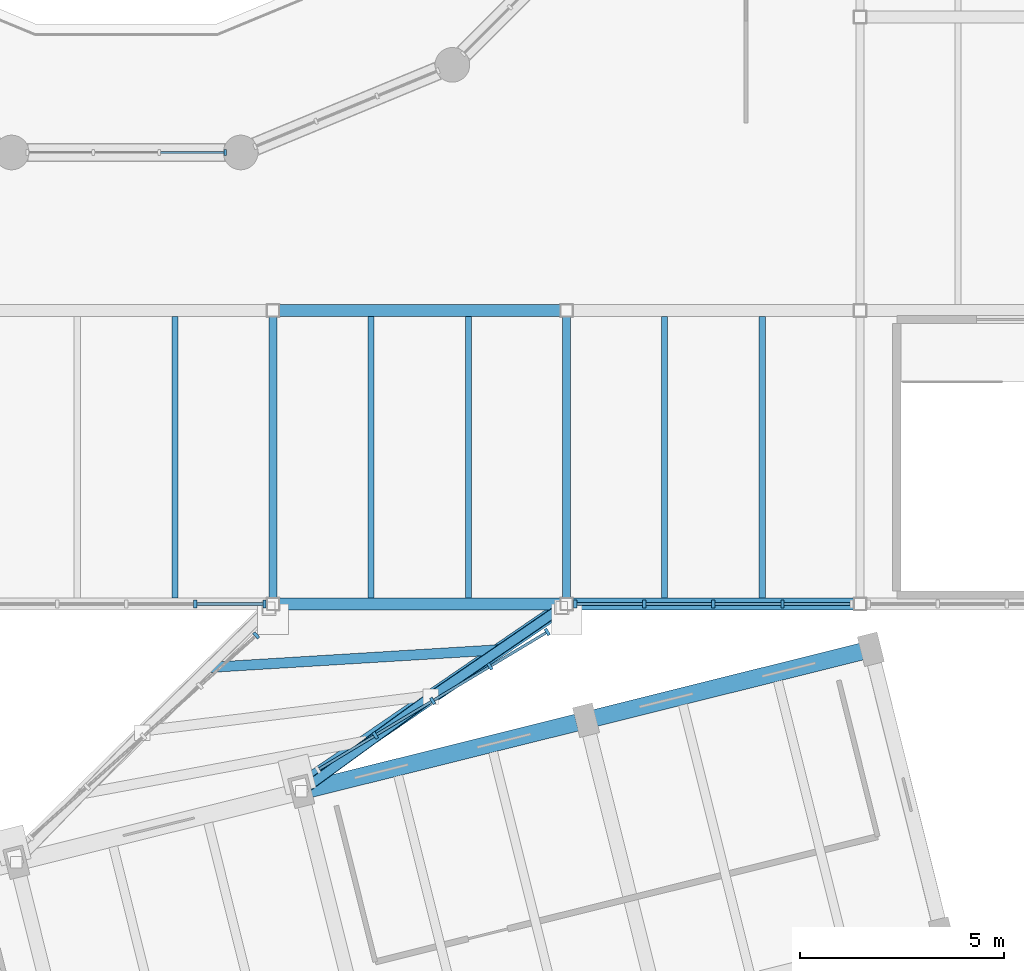
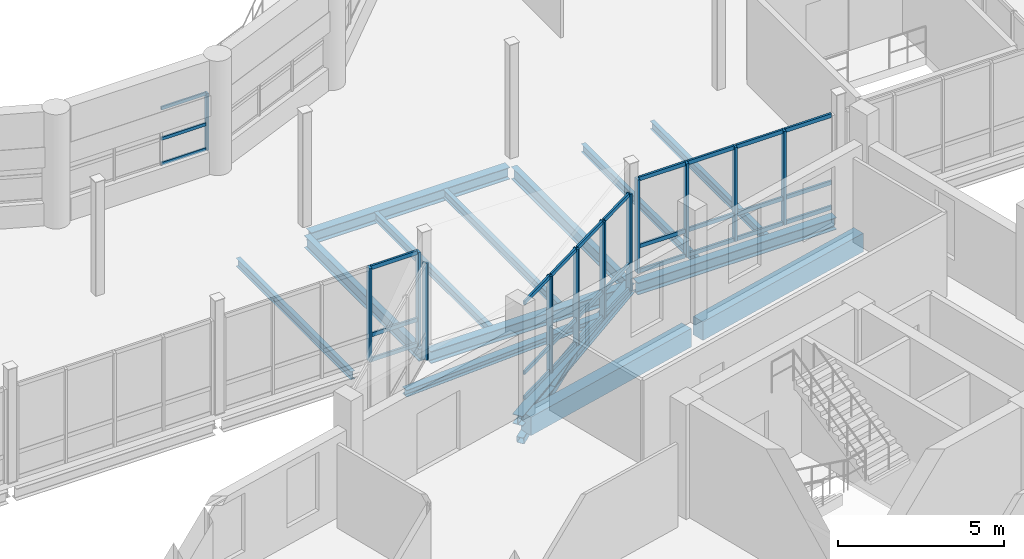
# One storey, part 20 of 63: 44 members, 14 beams, 5 elements without a shape of their own.
"""IFC4 building model written with IfcOpenShell, lengths in metres."""

from ifc_helpers import new_model, si_unit, direction, frame, origin, origin_2d, place, context, subcontext, project, spatial, rectangle, hollow_rectangle, i_section, extrude, material, material_profile, profile_set, type_object, element, aggregate, save


model = new_model("IFC4")

# Units and contexts
model_context = context("Model", 3, precision=1e-05, world=origin(), true_north=direction((0.0, 1.0)))
body_context = subcontext(model_context, "Body", "Model", "MODEL_VIEW")
ifc_project = project(units=[si_unit("LENGTHUNIT", "METRE"), si_unit("AREAUNIT", "SQUARE_METRE"), si_unit("VOLUMEUNIT", "CUBIC_METRE"), si_unit("PLANEANGLEUNIT", "RADIAN"), si_unit("MASSUNIT", "GRAM", prefix="KILO")], contexts=[model_context])

# Site, building, storey
site_placement = place(None, origin())
site = spatial("IfcSite", under=ifc_project, at=site_placement, CompositionType="ELEMENT")
building_placement = place(site_placement, origin())
building = spatial("IfcBuilding", under=site, at=building_placement, Name="Qiaolan Assembly House", CompositionType="ELEMENT")
storey_placement = place(building_placement, frame((0.0, 0.0, 14.39990234375)))
storey = spatial("IfcBuildingStorey", under=building, at=storey_placement, Name="L03", CompositionType="ELEMENT", Elevation=14.39990234375)

# Beams
ifc_material_1 = material(Name="Steel Q355B", Category="steel")
ifc_material_profile_1 = material_profile(ifc_material_1, i_section(OverallWidth=0.35009765625, OverallDepth=0.35009765625, WebThickness=0.011962890625, FlangeThickness=0.01904296875, FilletRadius=0.02001953125, at=origin_2d()), Name="HW 350x350x12x19-BR")
ifc_profile_set_1 = profile_set([ifc_material_profile_1], Name="Steel Q355B")
beam_type_1 = type_object("IfcBeamType", Name="BM-BRIDGE-CHORD-HW350", PredefinedType="BEAM", material=ifc_profile_set_1)
beam_1_placement = place(storey_placement, frame((72.662353515625, 31.52587890625, -0.364990234375), z_axis=(0.825251082805, 0.564766013787, 0.0), x_axis=(-0.564766013787, 0.825251082805, 0.0)))
element("IfcBeam", 1, at=beam_1_placement, inside=storey, type_object=beam_type_1, Name="BGB-01 skybridge main girder EB L03", PredefinedType="BEAM", context=body_context, shape_type="SweptSolid", body=[
    extrude(i_section(OverallWidth=0.35009765625, OverallDepth=0.35009765625, WebThickness=0.011962890625, FlangeThickness=0.01904296875, FilletRadius=0.02001953125, at=origin_2d()), origin(), (0.0, 0.0, 1.0), 7.781982421875),
])
ifc_material_profile_2 = material_profile(ifc_material_1, i_section(OverallWidth=0.25, OverallDepth=0.25, WebThickness=0.009033203125, FlangeThickness=0.013916015625, FilletRadius=0.01611328125, at=origin_2d()), Name="HW 250x250x9x14")
ifc_profile_set_2 = profile_set([ifc_material_profile_2], Name="Steel Q355B")
beam_type_2 = type_object("IfcBeamType", Name="BM-BRIDGE-CROSS-HW250", PredefinedType="BEAM", material=ifc_profile_set_2)
beam_2_placement = place(storey_placement, frame((70.4189453125, 34.446044921875, -0.31494140625), z_axis=(0.998150169795, 0.060796698416, 0.0), x_axis=(-0.060796698416, 0.998150169795, 0.0)))
element("IfcBeam", 2, at=beam_2_placement, inside=storey, type_object=beam_type_2, Name="BGB-02 skybridge cross beam EB L03", PredefinedType="BEAM", context=body_context, shape_type="SweptSolid", body=[
    extrude(i_section(OverallWidth=0.25, OverallDepth=0.25, WebThickness=0.009033203125, FlangeThickness=0.013916015625, FilletRadius=0.01611328125, at=origin_2d()), origin(), (0.0, 0.0, 1.0), 7.159912109375),
])
ifc_material_2 = material(Name="Concrete C40/50", Category="concrete")
ifc_material_profile_3 = material_profile(ifc_material_2, rectangle(XDim=0.419921875, YDim=0.679931640625, at=origin_2d()), Name="RCB 420x680")
ifc_profile_set_3 = profile_set([ifc_material_profile_3], Name="Concrete C40/50")
beam_type_3 = type_object("IfcBeamType", Name="BM-RC-420x680", PredefinedType="BEAM", material=ifc_profile_set_3)
for number, where, z_axis, x_axis, name in (
    (3, (72.924072265625, 31.467529296875, -0.554931640625), (0.970296172283, 0.241920106756, 0.0), (-0.241920106756, 0.970296172283, 0.0), "GB-12 beam BMU-SE-L03-06-03"),
    (4, (79.91015625, 33.209228515625, -0.554931640625), (0.970296172283, 0.241920106756, 0.0), (-0.241920106756, 0.970296172283, 0.0), "GB-12 beam BMU-SE-L03-07-03"),
):
    element("IfcBeam", number, at=place(storey_placement, frame(where, z_axis=z_axis, x_axis=x_axis)), inside=storey, type_object=beam_type_3, Name=name, PredefinedType="BEAM", context=body_context, shape_type="SweptSolid", body=[
        extrude(rectangle(XDim=0.419921875, YDim=0.679931640625, at=origin_2d()), origin(), (0.0, 0.0, 1.0), 6.72021484375),
    ])
ifc_material_profile_4 = material_profile(ifc_material_1, i_section(OverallWidth=0.300048828125, OverallDepth=0.43994140625, WebThickness=0.010986328125, FlangeThickness=0.01806640625, FilletRadius=0.02001953125, at=origin_2d()), Name="HM 440x300x11x18")
ifc_profile_set_4 = profile_set([ifc_material_profile_4], Name="Steel Q355B")
beam_type_4 = type_object("IfcBeamType", Name="BM-STL-HM440", PredefinedType="BEAM", material=ifc_profile_set_4)
for number, where, z_axis, x_axis, name in (
    (5, (72.14501953125, 36.0, -0.52001953125), (1.0, 0.0, 0.0), (0.0, 1.0, 0.0), "SB-06 beam BMX-HLC-L03-04-00"),
    (6, (79.344970703125, 36.0, -0.52001953125), (1.0, 0.0, 0.0), (0.0, 1.0, 0.0), "SB-06 beam BMX-HLC-L03-05-00"),
):
    element("IfcBeam", number, at=place(storey_placement, frame(where, z_axis=z_axis, x_axis=x_axis)), inside=storey, type_object=beam_type_4, Name=name, PredefinedType="BEAM", context=body_context, shape_type="SweptSolid", body=[
        extrude(i_section(OverallWidth=0.300048828125, OverallDepth=0.43994140625, WebThickness=0.010986328125, FlangeThickness=0.01806640625, FilletRadius=0.02001953125, at=origin_2d()), origin(), (0.0, 0.0, 1.0), 6.909912109375),
    ])
beam_3_placement = place(storey_placement, frame((72.139892578125, 43.199951171875, -0.52001953125), z_axis=(1.0, 0.0, 0.0), x_axis=(0.0, 1.0, 0.0)))
element("IfcBeam", 7, at=beam_3_placement, inside=storey, type_object=beam_type_4, Name="SB-06 beam BMX-HLC-L03-04-01", PredefinedType="BEAM", context=body_context, shape_type="SweptSolid", body=[
    extrude(i_section(OverallWidth=0.300048828125, OverallDepth=0.43994140625, WebThickness=0.010986328125, FlangeThickness=0.01806640625, FilletRadius=0.02001953125, at=origin_2d()), origin(), (0.0, 0.0, 1.0), 6.920166015625),
])
ifc_material_profile_5 = material_profile(ifc_material_1, i_section(OverallWidth=0.199951171875, OverallDepth=0.449951171875, WebThickness=0.009033203125, FlangeThickness=0.013916015625, FilletRadius=0.01611328125, at=origin_2d()), Name="HN 450x200x9x14")
ifc_profile_set_5 = profile_set([ifc_material_profile_5], Name="Steel Q355B")
beam_type_5 = type_object("IfcBeamType", Name="BM-STL-HN450", PredefinedType="BEAM", material=ifc_profile_set_5)
for number, where, z_axis, x_axis, name in (
    (8, (72.0, 36.14501953125, -0.52490234375), (0.0, 1.0, 0.0), (-1.0, 0.0, 0.0), "SB-07 beam BMY-HLC-L03-04-00"),
    (9, (79.199951171875, 36.14501953125, -0.52490234375), (0.0, 1.0, 0.0), (-1.0, 0.0, 0.0), "SB-07 beam BMY-HLC-L03-05-00"),
):
    element("IfcBeam", number, at=place(storey_placement, frame(where, z_axis=z_axis, x_axis=x_axis)), inside=storey, type_object=beam_type_5, Name=name, PredefinedType="BEAM", context=body_context, shape_type="SweptSolid", body=[
        extrude(i_section(OverallWidth=0.199951171875, OverallDepth=0.449951171875, WebThickness=0.009033203125, FlangeThickness=0.013916015625, FilletRadius=0.01611328125, at=origin_2d()), origin(), (0.0, 0.0, 1.0), 6.9150390625),
    ])

# Curtain wall, member
ifc_material_3 = material(Name="Anodised bronze aluminium", Category="aluminium")
curtain_wall_type_1 = type_object("IfcCurtainWallType", Name="CW-BRIDGE-420", PredefinedType="NOTDEFINED", material=ifc_material_3)
curtain_wall_1_placement = place(storey_placement, origin())
curtain_wall_1 = element("IfcCurtainWall", 10, at=curtain_wall_1_placement, inside=storey, type_object=curtain_wall_type_1, Name="CW-03 Glazed Skybridge Curtain Wall EB L03 W", PredefinedType="NOTDEFINED")
ifc_material_profile_6 = material_profile(ifc_material_3, rectangle(XDim=0.077880859375, YDim=0.179931640625, at=origin_2d()), Name="MUL 78x180")
ifc_profile_set_6 = profile_set([ifc_material_profile_6], Name="Anodised bronze aluminium")
member_type_1 = type_object("IfcMemberType", Name="CW-BRIDGE-420-MUL", PredefinedType="MULLION", material=ifc_profile_set_6)
member_1_placement = place(storey_placement, frame((71.590087890625, 35.233154296875, 0.0), z_axis=(0.0, 0.0, 1.0), x_axis=(0.745038147648, 0.667021857624, 0.0)))
member_1 = element("IfcMember", 11, at=member_1_placement, type_object=member_type_1, Name="ML-04 mullion CW-BRIDGE-EB-L03-W-5", PredefinedType="MULLION", context=body_context, shape_type="SweptSolid", body=[
    extrude(rectangle(XDim=0.077880859375, YDim=0.179931640625, at=origin_2d()), origin(), (0.0, 0.0, 1.0), 3.550048828125),
])
aggregate(curtain_wall_1, [member_1])

# Curtain wall, members
curtain_wall_2_placement = place(storey_placement, origin())
curtain_wall_2 = element("IfcCurtainWall", 12, at=curtain_wall_2_placement, inside=storey, type_object=curtain_wall_type_1, Name="CW-03 Glazed Skybridge Curtain Wall EB L03 E", PredefinedType="NOTDEFINED")
member_2_placement = place(storey_placement, frame((78.728515625, 35.316650390625, 0.0), z_axis=(0.0, 0.0, 1.0), x_axis=(-0.857119666196, -0.515117343739, 0.0)))
member_2 = element("IfcMember", 13, at=member_2_placement, type_object=member_type_1, Name="ML-04 mullion CW-BRIDGE-EB-L03-E-1", PredefinedType="MULLION", context=body_context, shape_type="SweptSolid", body=[
    extrude(rectangle(XDim=0.077880859375, YDim=0.179931640625, at=origin_2d()), origin(), (0.0, 0.0, 1.0), 3.550048828125),
])
member_3_placement = place(storey_placement, frame((77.322021484375, 34.471435546875, 0.0), z_axis=(0.0, 0.0, 1.0), x_axis=(-0.857119666196, -0.515117343739, 0.0)))
member_3 = element("IfcMember", 14, at=member_3_placement, type_object=member_type_1, Name="ML-04 mullion CW-BRIDGE-EB-L03-E-2", PredefinedType="MULLION", context=body_context, shape_type="SweptSolid", body=[
    extrude(rectangle(XDim=0.077880859375, YDim=0.179931640625, at=origin_2d()), origin(), (0.0, 0.0, 1.0), 3.550048828125),
])
member_4_placement = place(storey_placement, frame((75.91552734375, 33.6259765625, 0.0), z_axis=(0.0, 0.0, 1.0), x_axis=(-0.857119666196, -0.515117343739, 0.0)))
member_4 = element("IfcMember", 15, at=member_4_placement, type_object=member_type_1, Name="ML-04 mullion CW-BRIDGE-EB-L03-E-3", PredefinedType="MULLION", context=body_context, shape_type="SweptSolid", body=[
    extrude(rectangle(XDim=0.077880859375, YDim=0.179931640625, at=origin_2d()), origin(), (0.0, 0.0, 1.0), 3.550048828125),
])
member_5_placement = place(storey_placement, frame((74.5087890625, 32.78076171875, 0.0), z_axis=(0.0, 0.0, 1.0), x_axis=(-0.857119666196, -0.515117343739, 0.0)))
member_5 = element("IfcMember", 16, at=member_5_placement, type_object=member_type_1, Name="ML-04 mullion CW-BRIDGE-EB-L03-E-4", PredefinedType="MULLION", context=body_context, shape_type="SweptSolid", body=[
    extrude(rectangle(XDim=0.077880859375, YDim=0.179931640625, at=origin_2d()), origin(), (0.0, 0.0, 1.0), 3.550048828125),
])
ifc_material_profile_7 = material_profile(ifc_material_3, rectangle(XDim=0.068115234375, YDim=0.139892578125, at=origin_2d()), Name="TRN 68x140")
ifc_profile_set_7 = profile_set([ifc_material_profile_7], Name="Anodised bronze aluminium")
member_type_2 = type_object("IfcMemberType", Name="CW-BRIDGE-420-TRN", PredefinedType="USERDEFINED", material=ifc_profile_set_7)
member_6_placement = place(storey_placement, frame((78.695068359375, 35.296630859375, 0.030029296875), z_axis=(-0.857092967723, -0.515161765546, 0.0), x_axis=(0.515161765546, -0.857092967723, 0.0)))
member_6 = element("IfcMember", 17, at=member_6_placement, type_object=member_type_2, Name="TR-04 transom CW-BRIDGE-EB-L03-E-1-1", ObjectType="TRANSOM", PredefinedType="USERDEFINED", context=body_context, shape_type="SweptSolid", body=[
    extrude(rectangle(XDim=0.068115234375, YDim=0.139892578125, at=origin_2d()), origin(), (0.0, 0.0, 1.0), 1.56298828125),
])
member_7_placement = place(storey_placement, frame((78.695068359375, 35.296630859375, 0.9501953125), z_axis=(-0.857092967723, -0.515161765546, 0.0), x_axis=(0.515161765546, -0.857092967723, 0.0)))
member_7 = element("IfcMember", 18, at=member_7_placement, type_object=member_type_2, Name="TR-04 transom CW-BRIDGE-EB-L03-E-1-2", ObjectType="TRANSOM", PredefinedType="USERDEFINED", context=body_context, shape_type="SweptSolid", body=[
    extrude(rectangle(XDim=0.068115234375, YDim=0.139892578125, at=origin_2d()), origin(), (0.0, 0.0, 1.0), 1.56298828125),
])
member_8_placement = place(storey_placement, frame((78.695068359375, 35.296630859375, 3.52001953125), z_axis=(-0.857092967723, -0.515161765546, 0.0), x_axis=(0.515161765546, -0.857092967723, 0.0)))
member_8 = element("IfcMember", 19, at=member_8_placement, type_object=member_type_2, Name="TR-04 transom CW-BRIDGE-EB-L03-E-1-3", ObjectType="TRANSOM", PredefinedType="USERDEFINED", context=body_context, shape_type="SweptSolid", body=[
    extrude(rectangle(XDim=0.068115234375, YDim=0.139892578125, at=origin_2d()), origin(), (0.0, 0.0, 1.0), 1.56298828125),
])
member_9_placement = place(storey_placement, frame((77.28857421875, 34.451171875, 0.030029296875), z_axis=(-0.857092967723, -0.515161765546, 0.0), x_axis=(0.515161765546, -0.857092967723, 0.0)))
member_9 = element("IfcMember", 20, at=member_9_placement, type_object=member_type_2, Name="TR-04 transom CW-BRIDGE-EB-L03-E-2-1", ObjectType="TRANSOM", PredefinedType="USERDEFINED", context=body_context, shape_type="SweptSolid", body=[
    extrude(rectangle(XDim=0.068115234375, YDim=0.139892578125, at=origin_2d()), origin(), (0.0, 0.0, 1.0), 1.56298828125),
])
member_10_placement = place(storey_placement, frame((77.28857421875, 34.451171875, 0.9501953125), z_axis=(-0.857092967723, -0.515161765546, 0.0), x_axis=(0.515161765546, -0.857092967723, 0.0)))
member_10 = element("IfcMember", 21, at=member_10_placement, type_object=member_type_2, Name="TR-04 transom CW-BRIDGE-EB-L03-E-2-2", ObjectType="TRANSOM", PredefinedType="USERDEFINED", context=body_context, shape_type="SweptSolid", body=[
    extrude(rectangle(XDim=0.068115234375, YDim=0.139892578125, at=origin_2d()), origin(), (0.0, 0.0, 1.0), 1.56298828125),
])
member_11_placement = place(storey_placement, frame((77.28857421875, 34.451171875, 3.52001953125), z_axis=(-0.857092967723, -0.515161765546, 0.0), x_axis=(0.515161765546, -0.857092967723, 0.0)))
member_11 = element("IfcMember", 22, at=member_11_placement, type_object=member_type_2, Name="TR-04 transom CW-BRIDGE-EB-L03-E-2-3", ObjectType="TRANSOM", PredefinedType="USERDEFINED", context=body_context, shape_type="SweptSolid", body=[
    extrude(rectangle(XDim=0.068115234375, YDim=0.139892578125, at=origin_2d()), origin(), (0.0, 0.0, 1.0), 1.56298828125),
])
member_12_placement = place(storey_placement, frame((75.882080078125, 33.60595703125, 0.030029296875), z_axis=(-0.857134414714, -0.515092802428, 0.0), x_axis=(0.515092802428, -0.857134414714, 0.0)))
member_12 = element("IfcMember", 23, at=member_12_placement, type_object=member_type_2, Name="TR-04 transom CW-BRIDGE-EB-L03-E-3-1", ObjectType="TRANSOM", PredefinedType="USERDEFINED", context=body_context, shape_type="SweptSolid", body=[
    extrude(rectangle(XDim=0.068115234375, YDim=0.139892578125, at=origin_2d()), origin(), (0.0, 0.0, 1.0), 1.563232421875),
])
member_13_placement = place(storey_placement, frame((75.882080078125, 33.60595703125, 0.9501953125), z_axis=(-0.857134414714, -0.515092802428, 0.0), x_axis=(0.515092802428, -0.857134414714, 0.0)))
member_13 = element("IfcMember", 24, at=member_13_placement, type_object=member_type_2, Name="TR-04 transom CW-BRIDGE-EB-L03-E-3-2", ObjectType="TRANSOM", PredefinedType="USERDEFINED", context=body_context, shape_type="SweptSolid", body=[
    extrude(rectangle(XDim=0.068115234375, YDim=0.139892578125, at=origin_2d()), origin(), (0.0, 0.0, 1.0), 1.563232421875),
])
member_14_placement = place(storey_placement, frame((75.882080078125, 33.60595703125, 3.52001953125), z_axis=(-0.857134414714, -0.515092802428, 0.0), x_axis=(0.515092802428, -0.857134414714, 0.0)))
member_14 = element("IfcMember", 25, at=member_14_placement, type_object=member_type_2, Name="TR-04 transom CW-BRIDGE-EB-L03-E-3-3", ObjectType="TRANSOM", PredefinedType="USERDEFINED", context=body_context, shape_type="SweptSolid", body=[
    extrude(rectangle(XDim=0.068115234375, YDim=0.139892578125, at=origin_2d()), origin(), (0.0, 0.0, 1.0), 1.563232421875),
])
member_15_placement = place(storey_placement, frame((74.475341796875, 32.760498046875, 0.030029296875), z_axis=(-0.857092967723, -0.515161765546, 0.0), x_axis=(0.515161765546, -0.857092967723, 0.0)))
member_15 = element("IfcMember", 26, at=member_15_placement, type_object=member_type_2, Name="TR-04 transom CW-BRIDGE-EB-L03-E-4-1", ObjectType="TRANSOM", PredefinedType="USERDEFINED", context=body_context, shape_type="SweptSolid", body=[
    extrude(rectangle(XDim=0.068115234375, YDim=0.139892578125, at=origin_2d()), origin(), (0.0, 0.0, 1.0), 1.56298828125),
])
member_16_placement = place(storey_placement, frame((74.475341796875, 32.760498046875, 0.9501953125), z_axis=(-0.857092967723, -0.515161765546, 0.0), x_axis=(0.515161765546, -0.857092967723, 0.0)))
member_16 = element("IfcMember", 27, at=member_16_placement, type_object=member_type_2, Name="TR-04 transom CW-BRIDGE-EB-L03-E-4-2", ObjectType="TRANSOM", PredefinedType="USERDEFINED", context=body_context, shape_type="SweptSolid", body=[
    extrude(rectangle(XDim=0.068115234375, YDim=0.139892578125, at=origin_2d()), origin(), (0.0, 0.0, 1.0), 1.56298828125),
])
member_17_placement = place(storey_placement, frame((74.475341796875, 32.760498046875, 3.52001953125), z_axis=(-0.857092967723, -0.515161765546, 0.0), x_axis=(0.515161765546, -0.857092967723, 0.0)))
member_17 = element("IfcMember", 28, at=member_17_placement, type_object=member_type_2, Name="TR-04 transom CW-BRIDGE-EB-L03-E-4-3", ObjectType="TRANSOM", PredefinedType="USERDEFINED", context=body_context, shape_type="SweptSolid", body=[
    extrude(rectangle(XDim=0.068115234375, YDim=0.139892578125, at=origin_2d()), origin(), (0.0, 0.0, 1.0), 1.56298828125),
])
aggregate(curtain_wall_2, [member_2, member_3, member_4, member_5, member_6, member_7, member_8, member_9, member_10, member_11, member_12, member_13, member_14, member_15, member_16, member_17])

curtain_wall_type_2 = type_object("IfcCurtainWallType", Name="CW-DRUM-CLERESTORY", PredefinedType="NOTDEFINED", material=ifc_material_3)
curtain_wall_3_placement = place(storey_placement, origin())
curtain_wall_3 = element("IfcCurtainWall", 29, at=curtain_wall_3_placement, inside=storey, type_object=curtain_wall_type_2, Name="CW-06 Council Chamber Drum Clerestory Curtain Wall 12", PredefinedType="NOTDEFINED")
ifc_material_profile_8 = material_profile(ifc_material_3, rectangle(XDim=0.06591796875, YDim=0.14501953125, at=origin_2d()), Name="MUL 66x145")
ifc_profile_set_8 = profile_set([ifc_material_profile_8], Name="Anodised bronze aluminium")
member_type_3 = type_object("IfcMemberType", Name="CW-DRUM-CLERESTORY-MUL", PredefinedType="MULLION", material=ifc_profile_set_8)
member_18_placement = place(storey_placement, frame((70.829345703125, 47.07666015625, 0.800048828125), z_axis=(0.0, 0.0, 1.0), x_axis=(-1.0, 0.0, 0.0)))
member_18 = element("IfcMember", 30, at=member_18_placement, type_object=member_type_3, Name="ML-07 mullion CW-DRUM-CLER-11-1", PredefinedType="MULLION", context=body_context, shape_type="SweptSolid", body=[
    extrude(rectangle(XDim=0.06591796875, YDim=0.14501953125, at=origin_2d()), origin(), (0.0, 0.0, 1.0), 2.10009765625),
])
ifc_material_profile_9 = material_profile(ifc_material_3, rectangle(XDim=0.05810546875, YDim=0.114990234375, at=origin_2d()), Name="TRN 58x115")
ifc_profile_set_9 = profile_set([ifc_material_profile_9], Name="Anodised bronze aluminium")
member_type_4 = type_object("IfcMemberType", Name="CW-DRUM-CLERESTORY-TRN", PredefinedType="USERDEFINED", material=ifc_profile_set_9)
member_19_placement = place(storey_placement, frame((70.79638671875, 47.07666015625, 0.830078125), z_axis=(-1.0, 0.0, 0.0), x_axis=(0.0, -1.0, 0.0)))
member_19 = element("IfcMember", 31, at=member_19_placement, type_object=member_type_4, Name="TR-07 transom CW-DRUM-CLER-11-1-1", ObjectType="TRANSOM", PredefinedType="USERDEFINED", context=body_context, shape_type="SweptSolid", body=[
    extrude(rectangle(XDim=0.05810546875, YDim=0.114990234375, at=origin_2d()), origin(), (0.0, 0.0, 1.0), 1.553466796875),
])
member_20_placement = place(storey_placement, frame((70.79638671875, 47.07666015625, 1.75), z_axis=(-1.0, 0.0, 0.0), x_axis=(0.0, -1.0, 0.0)))
member_20 = element("IfcMember", 32, at=member_20_placement, type_object=member_type_4, Name="TR-07 transom CW-DRUM-CLER-11-1-2", ObjectType="TRANSOM", PredefinedType="USERDEFINED", context=body_context, shape_type="SweptSolid", body=[
    extrude(rectangle(XDim=0.05810546875, YDim=0.114990234375, at=origin_2d()), origin(), (0.0, 0.0, 1.0), 1.553466796875),
])
member_21_placement = place(storey_placement, frame((70.79638671875, 47.07666015625, 2.8701171875), z_axis=(-1.0, 0.0, 0.0), x_axis=(0.0, -1.0, 0.0)))
member_21 = element("IfcMember", 33, at=member_21_placement, type_object=member_type_4, Name="TR-07 transom CW-DRUM-CLER-11-1-3", ObjectType="TRANSOM", PredefinedType="USERDEFINED", context=body_context, shape_type="SweptSolid", body=[
    extrude(rectangle(XDim=0.05810546875, YDim=0.114990234375, at=origin_2d()), origin(), (0.0, 0.0, 1.0), 1.553466796875),
])
aggregate(curtain_wall_3, [member_18, member_19, member_20, member_21])

curtain_wall_type_3 = type_object("IfcCurtainWallType", Name="CW-HALL-CONC-420", PredefinedType="NOTDEFINED", material=ifc_material_3)
curtain_wall_4_placement = place(storey_placement, origin())
curtain_wall_4 = element("IfcCurtainWall", 34, at=curtain_wall_4_placement, inside=storey, type_object=curtain_wall_type_3, Name="CW-07 L03 Concourse South CW 4", PredefinedType="NOTDEFINED")
ifc_material_profile_10 = material_profile(ifc_material_3, rectangle(XDim=0.08203125, YDim=0.18994140625, at=origin_2d()), Name="MUL 82x190")
ifc_profile_set_10 = profile_set([ifc_material_profile_10], Name="Anodised bronze aluminium")
member_type_5 = type_object("IfcMemberType", Name="CW-HALL-CONC-420-MUL", PredefinedType="MULLION", material=ifc_profile_set_10)
member_22_placement = place(storey_placement, frame((70.094970703125, 36.0, 0.0), z_axis=(0.0, 0.0, 1.0), x_axis=(1.0, 0.0, 0.0)))
member_22 = element("IfcMember", 35, at=member_22_placement, type_object=member_type_5, Name="ML-03 mullion CW-HLC-S-03-4", PredefinedType="MULLION", context=body_context, shape_type="SweptSolid", body=[
    extrude(rectangle(XDim=0.08203125, YDim=0.18994140625, at=origin_2d()), origin(), (0.0, 0.0, 1.0), 3.4501953125),
])
member_23_placement = place(storey_placement, frame((71.7900390625, 36.0, 0.0), z_axis=(0.0, 0.0, 1.0), x_axis=(1.0, 0.0, 0.0)))
member_23 = element("IfcMember", 36, at=member_23_placement, type_object=member_type_5, Name="ML-03 mullion CW-HLC-S-03-5", PredefinedType="MULLION", context=body_context, shape_type="SweptSolid", body=[
    extrude(rectangle(XDim=0.08203125, YDim=0.18994140625, at=origin_2d()), origin(), (0.0, 0.0, 1.0), 3.4501953125),
])

curtain_wall_5_placement = place(storey_placement, origin())
curtain_wall_5 = element("IfcCurtainWall", 37, at=curtain_wall_5_placement, inside=storey, type_object=curtain_wall_type_3, Name="CW-07 L03 Concourse South CW 6", PredefinedType="NOTDEFINED")
member_24_placement = place(storey_placement, frame((79.409912109375, 36.0, 0.0), z_axis=(0.0, 0.0, 1.0), x_axis=(1.0, 0.0, 0.0)))
member_24 = element("IfcMember", 38, at=member_24_placement, type_object=member_type_5, Name="ML-03 mullion CW-HLC-S-05-1", PredefinedType="MULLION", context=body_context, shape_type="SweptSolid", body=[
    extrude(rectangle(XDim=0.08203125, YDim=0.18994140625, at=origin_2d()), origin(), (0.0, 0.0, 1.0), 3.4501953125),
])
member_25_placement = place(storey_placement, frame((81.10498046875, 36.0, 0.0), z_axis=(0.0, 0.0, 1.0), x_axis=(1.0, 0.0, 0.0)))
member_25 = element("IfcMember", 39, at=member_25_placement, type_object=member_type_5, Name="ML-03 mullion CW-HLC-S-05-2", PredefinedType="MULLION", context=body_context, shape_type="SweptSolid", body=[
    extrude(rectangle(XDim=0.08203125, YDim=0.18994140625, at=origin_2d()), origin(), (0.0, 0.0, 1.0), 3.4501953125),
])
member_26_placement = place(storey_placement, frame((82.800048828125, 36.0, 0.0), z_axis=(0.0, 0.0, 1.0), x_axis=(1.0, 0.0, 0.0)))
member_26 = element("IfcMember", 40, at=member_26_placement, type_object=member_type_5, Name="ML-03 mullion CW-HLC-S-05-3", PredefinedType="MULLION", context=body_context, shape_type="SweptSolid", body=[
    extrude(rectangle(XDim=0.08203125, YDim=0.18994140625, at=origin_2d()), origin(), (0.0, 0.0, 1.0), 3.4501953125),
])
member_27_placement = place(storey_placement, frame((84.4951171875, 36.0, 0.0), z_axis=(0.0, 0.0, 1.0), x_axis=(1.0, 0.0, 0.0)))
member_27 = element("IfcMember", 41, at=member_27_placement, type_object=member_type_5, Name="ML-03 mullion CW-HLC-S-05-4", PredefinedType="MULLION", context=body_context, shape_type="SweptSolid", body=[
    extrude(rectangle(XDim=0.08203125, YDim=0.18994140625, at=origin_2d()), origin(), (0.0, 0.0, 1.0), 3.4501953125),
])

# Member
ifc_material_profile_11 = material_profile(ifc_material_3, rectangle(XDim=0.072021484375, YDim=0.14501953125, at=origin_2d()), Name="TRN 72x145")
ifc_profile_set_11 = profile_set([ifc_material_profile_11], Name="Anodised bronze aluminium")
member_type_6 = type_object("IfcMemberType", Name="CW-HALL-CONC-420-TRN", PredefinedType="USERDEFINED", material=ifc_profile_set_11)
member_28_placement = place(storey_placement, frame((70.135986328125, 36.0, 0.030029296875), z_axis=(1.0, 0.0, 0.0), x_axis=(0.0, 1.0, 0.0)))
member_28 = element("IfcMember", 42, at=member_28_placement, type_object=member_type_6, Name="TR-03 transom CW-HLC-S-03-4-1", ObjectType="TRANSOM", PredefinedType="USERDEFINED", context=body_context, shape_type="SweptSolid", body=[
    extrude(rectangle(XDim=0.072021484375, YDim=0.14501953125, at=origin_2d()), origin(), (0.0, 0.0, 1.0), 1.613037109375),
])

member_29_placement = place(storey_placement, frame((70.135986328125, 36.0, 0.9501953125), z_axis=(1.0, 0.0, 0.0), x_axis=(0.0, 1.0, 0.0)))
member_29 = element("IfcMember", 43, at=member_29_placement, type_object=member_type_6, Name="TR-03 transom CW-HLC-S-03-4-2", ObjectType="TRANSOM", PredefinedType="USERDEFINED", context=body_context, shape_type="SweptSolid", body=[
    extrude(rectangle(XDim=0.072021484375, YDim=0.14501953125, at=origin_2d()), origin(), (0.0, 0.0, 1.0), 1.613037109375),
])

member_30_placement = place(storey_placement, frame((70.135986328125, 36.0, 3.420166015625), z_axis=(1.0, 0.0, 0.0), x_axis=(0.0, 1.0, 0.0)))
member_30 = element("IfcMember", 44, at=member_30_placement, type_object=member_type_6, Name="TR-03 transom CW-HLC-S-03-4-3", ObjectType="TRANSOM", PredefinedType="USERDEFINED", context=body_context, shape_type="SweptSolid", body=[
    extrude(rectangle(XDim=0.072021484375, YDim=0.14501953125, at=origin_2d()), origin(), (0.0, 0.0, 1.0), 1.613037109375),
])

aggregate(curtain_wall_4, [member_22, member_23, member_28, member_29, member_30])

member_31_placement = place(storey_placement, frame((79.450927734375, 36.0, 0.030029296875), z_axis=(1.0, 0.0, 0.0), x_axis=(0.0, 1.0, 0.0)))
member_31 = element("IfcMember", 45, at=member_31_placement, type_object=member_type_6, Name="TR-03 transom CW-HLC-S-05-1-1", ObjectType="TRANSOM", PredefinedType="USERDEFINED", context=body_context, shape_type="SweptSolid", body=[
    extrude(rectangle(XDim=0.072021484375, YDim=0.14501953125, at=origin_2d()), origin(), (0.0, 0.0, 1.0), 1.613037109375),
])

member_32_placement = place(storey_placement, frame((79.450927734375, 36.0, 0.9501953125), z_axis=(1.0, 0.0, 0.0), x_axis=(0.0, 1.0, 0.0)))
member_32 = element("IfcMember", 46, at=member_32_placement, type_object=member_type_6, Name="TR-03 transom CW-HLC-S-05-1-2", ObjectType="TRANSOM", PredefinedType="USERDEFINED", context=body_context, shape_type="SweptSolid", body=[
    extrude(rectangle(XDim=0.072021484375, YDim=0.14501953125, at=origin_2d()), origin(), (0.0, 0.0, 1.0), 1.613037109375),
])

member_33_placement = place(storey_placement, frame((79.450927734375, 36.0, 3.420166015625), z_axis=(1.0, 0.0, 0.0), x_axis=(0.0, 1.0, 0.0)))
member_33 = element("IfcMember", 47, at=member_33_placement, type_object=member_type_6, Name="TR-03 transom CW-HLC-S-05-1-3", ObjectType="TRANSOM", PredefinedType="USERDEFINED", context=body_context, shape_type="SweptSolid", body=[
    extrude(rectangle(XDim=0.072021484375, YDim=0.14501953125, at=origin_2d()), origin(), (0.0, 0.0, 1.0), 1.613037109375),
])

member_34_placement = place(storey_placement, frame((81.14599609375, 36.0, 0.030029296875), z_axis=(1.0, 0.0, 0.0), x_axis=(0.0, 1.0, 0.0)))
member_34 = element("IfcMember", 48, at=member_34_placement, type_object=member_type_6, Name="TR-03 transom CW-HLC-S-05-2-1", ObjectType="TRANSOM", PredefinedType="USERDEFINED", context=body_context, shape_type="SweptSolid", body=[
    extrude(rectangle(XDim=0.072021484375, YDim=0.14501953125, at=origin_2d()), origin(), (0.0, 0.0, 1.0), 1.613037109375),
])

member_35_placement = place(storey_placement, frame((81.14599609375, 36.0, 0.9501953125), z_axis=(1.0, 0.0, 0.0), x_axis=(0.0, 1.0, 0.0)))
member_35 = element("IfcMember", 49, at=member_35_placement, type_object=member_type_6, Name="TR-03 transom CW-HLC-S-05-2-2", ObjectType="TRANSOM", PredefinedType="USERDEFINED", context=body_context, shape_type="SweptSolid", body=[
    extrude(rectangle(XDim=0.072021484375, YDim=0.14501953125, at=origin_2d()), origin(), (0.0, 0.0, 1.0), 1.613037109375),
])

member_36_placement = place(storey_placement, frame((81.14599609375, 36.0, 3.420166015625), z_axis=(1.0, 0.0, 0.0), x_axis=(0.0, 1.0, 0.0)))
member_36 = element("IfcMember", 50, at=member_36_placement, type_object=member_type_6, Name="TR-03 transom CW-HLC-S-05-2-3", ObjectType="TRANSOM", PredefinedType="USERDEFINED", context=body_context, shape_type="SweptSolid", body=[
    extrude(rectangle(XDim=0.072021484375, YDim=0.14501953125, at=origin_2d()), origin(), (0.0, 0.0, 1.0), 1.613037109375),
])

member_37_placement = place(storey_placement, frame((82.841064453125, 36.0, 0.030029296875), z_axis=(1.0, 0.0, 0.0), x_axis=(0.0, 1.0, 0.0)))
member_37 = element("IfcMember", 51, at=member_37_placement, type_object=member_type_6, Name="TR-03 transom CW-HLC-S-05-3-1", ObjectType="TRANSOM", PredefinedType="USERDEFINED", context=body_context, shape_type="SweptSolid", body=[
    extrude(rectangle(XDim=0.072021484375, YDim=0.14501953125, at=origin_2d()), origin(), (0.0, 0.0, 1.0), 1.613037109375),
])

member_38_placement = place(storey_placement, frame((82.841064453125, 36.0, 0.9501953125), z_axis=(1.0, 0.0, 0.0), x_axis=(0.0, 1.0, 0.0)))
member_38 = element("IfcMember", 52, at=member_38_placement, type_object=member_type_6, Name="TR-03 transom CW-HLC-S-05-3-2", ObjectType="TRANSOM", PredefinedType="USERDEFINED", context=body_context, shape_type="SweptSolid", body=[
    extrude(rectangle(XDim=0.072021484375, YDim=0.14501953125, at=origin_2d()), origin(), (0.0, 0.0, 1.0), 1.613037109375),
])

member_39_placement = place(storey_placement, frame((82.841064453125, 36.0, 3.420166015625), z_axis=(1.0, 0.0, 0.0), x_axis=(0.0, 1.0, 0.0)))
member_39 = element("IfcMember", 53, at=member_39_placement, type_object=member_type_6, Name="TR-03 transom CW-HLC-S-05-3-3", ObjectType="TRANSOM", PredefinedType="USERDEFINED", context=body_context, shape_type="SweptSolid", body=[
    extrude(rectangle(XDim=0.072021484375, YDim=0.14501953125, at=origin_2d()), origin(), (0.0, 0.0, 1.0), 1.613037109375),
])

member_40_placement = place(storey_placement, frame((84.535888671875, 36.0, 0.030029296875), z_axis=(1.0, 0.0, 0.0), x_axis=(0.0, 1.0, 0.0)))
member_40 = element("IfcMember", 54, at=member_40_placement, type_object=member_type_6, Name="TR-03 transom CW-HLC-S-05-4-1", ObjectType="TRANSOM", PredefinedType="USERDEFINED", context=body_context, shape_type="SweptSolid", body=[
    extrude(rectangle(XDim=0.072021484375, YDim=0.14501953125, at=origin_2d()), origin(), (0.0, 0.0, 1.0), 1.613037109375),
])

member_41_placement = place(storey_placement, frame((84.535888671875, 36.0, 0.9501953125), z_axis=(1.0, 0.0, 0.0), x_axis=(0.0, 1.0, 0.0)))
member_41 = element("IfcMember", 55, at=member_41_placement, type_object=member_type_6, Name="TR-03 transom CW-HLC-S-05-4-2", ObjectType="TRANSOM", PredefinedType="USERDEFINED", context=body_context, shape_type="SweptSolid", body=[
    extrude(rectangle(XDim=0.072021484375, YDim=0.14501953125, at=origin_2d()), origin(), (0.0, 0.0, 1.0), 1.613037109375),
])

member_42_placement = place(storey_placement, frame((84.535888671875, 36.0, 3.420166015625), z_axis=(1.0, 0.0, 0.0), x_axis=(0.0, 1.0, 0.0)))
member_42 = element("IfcMember", 56, at=member_42_placement, type_object=member_type_6, Name="TR-03 transom CW-HLC-S-05-4-3", ObjectType="TRANSOM", PredefinedType="USERDEFINED", context=body_context, shape_type="SweptSolid", body=[
    extrude(rectangle(XDim=0.072021484375, YDim=0.14501953125, at=origin_2d()), origin(), (0.0, 0.0, 1.0), 1.613037109375),
])

aggregate(curtain_wall_5, [member_24, member_25, member_26, member_27, member_31, member_32, member_33, member_34, member_35, member_36, member_37, member_38, member_39, member_40, member_41, member_42])

# Beams
ifc_material_profile_12 = material_profile(ifc_material_1, i_section(OverallWidth=0.14990234375, OverallDepth=0.300048828125, WebThickness=0.006591796875, FlangeThickness=0.009033203125, FilletRadius=0.012939453125, at=origin_2d()), Name="HN 300x150x6.5x9")
ifc_profile_set_12 = profile_set([ifc_material_profile_12], Name="Steel Q355B")
beam_type_6 = type_object("IfcBeamType", Name="JST-STL-HN300", PredefinedType="JOIST", material=ifc_profile_set_12)
for number, where, z_axis, x_axis, name in (
    (57, (69.60009765625, 36.14404296875, -0.449951171875), (0.0, 1.0, 0.0), (-1.0, 0.0, 0.0), "SJ-02 beam JST-HLC-L03-03-00-2"),
    (58, (74.39990234375, 36.14404296875, -0.449951171875), (0.0, 1.0, 0.0), (-1.0, 0.0, 0.0), "SJ-02 beam JST-HLC-L03-04-00-1"),
    (59, (76.800048828125, 36.14404296875, -0.449951171875), (0.0, 1.0, 0.0), (-1.0, 0.0, 0.0), "SJ-02 beam JST-HLC-L03-04-00-2"),
    (60, (81.60009765625, 36.14404296875, -0.449951171875), (0.0, 1.0, 0.0), (-1.0, 0.0, 0.0), "SJ-02 beam JST-HLC-L03-05-00-1"),
    (61, (84.0, 36.14404296875, -0.449951171875), (0.0, 1.0, 0.0), (-1.0, 0.0, 0.0), "SJ-02 beam JST-HLC-L03-05-00-2"),
):
    element("IfcBeam", number, at=place(storey_placement, frame(where, z_axis=z_axis, x_axis=x_axis)), inside=storey, type_object=beam_type_6, Name=name, PredefinedType="JOIST", context=body_context, shape_type="SweptSolid", body=[
        extrude(i_section(OverallWidth=0.14990234375, OverallDepth=0.300048828125, WebThickness=0.006591796875, FlangeThickness=0.009033203125, FilletRadius=0.012939453125, at=origin_2d()), origin(), (0.0, 0.0, 1.0), 6.911865234375),
    ])

# Members
ifc_material_profile_13 = material_profile(ifc_material_1, hollow_rectangle(XDim=0.25, YDim=0.25, WallThickness=0.010009765625, InnerFilletRadius=0.010009765625, OuterFilletRadius=0.02001953125, at=origin_2d()), Name="SHS 250x250x10")
ifc_profile_set_13 = profile_set([ifc_material_profile_13], Name="Steel Q355B")
member_type_7 = type_object("IfcMemberType", Name="MBR-BRACE-BRIDGE-SHS250", PredefinedType="BRACE", material=ifc_profile_set_13)
member_43_placement = place(storey_placement, frame((72.691162109375, 31.409423828125, -1.05078125), z_axis=(0.796761007919, 0.57938475012, 0.171712572598), x_axis=(-0.588120043152, 0.808773648707, 0.0)))
element("IfcMember", 62, at=member_43_placement, inside=storey, type_object=member_type_7, Name="BR-03 skybridge brace EB L03", PredefinedType="BRACE", context=body_context, shape_type="SweptSolid", body=[
    extrude(hollow_rectangle(XDim=0.25, YDim=0.25, WallThickness=0.010009765625, InnerFilletRadius=0.010009765625, OuterFilletRadius=0.02001953125, at=origin_2d()), origin(), (0.0, 0.0, 1.0), 3.993896484375),
])
member_44_placement = place(storey_placement, frame((75.873291015625, 33.723388671875, -0.364990234375), z_axis=(0.825261088979, 0.564751392222, 0.0), x_axis=(-0.564751392222, 0.825261088979, 0.0)))
element("IfcMember", 63, at=member_44_placement, inside=storey, type_object=member_type_7, Name="BR-03 skybridge brace EB L03", PredefinedType="BRACE", context=body_context, shape_type="SweptSolid", body=[
    extrude(hollow_rectangle(XDim=0.25, YDim=0.25, WallThickness=0.010009765625, InnerFilletRadius=0.010009765625, OuterFilletRadius=0.02001953125, at=origin_2d()), origin(), (0.0, 0.0, 1.0), 3.89111328125),
])

save(model, "model.ifc")
